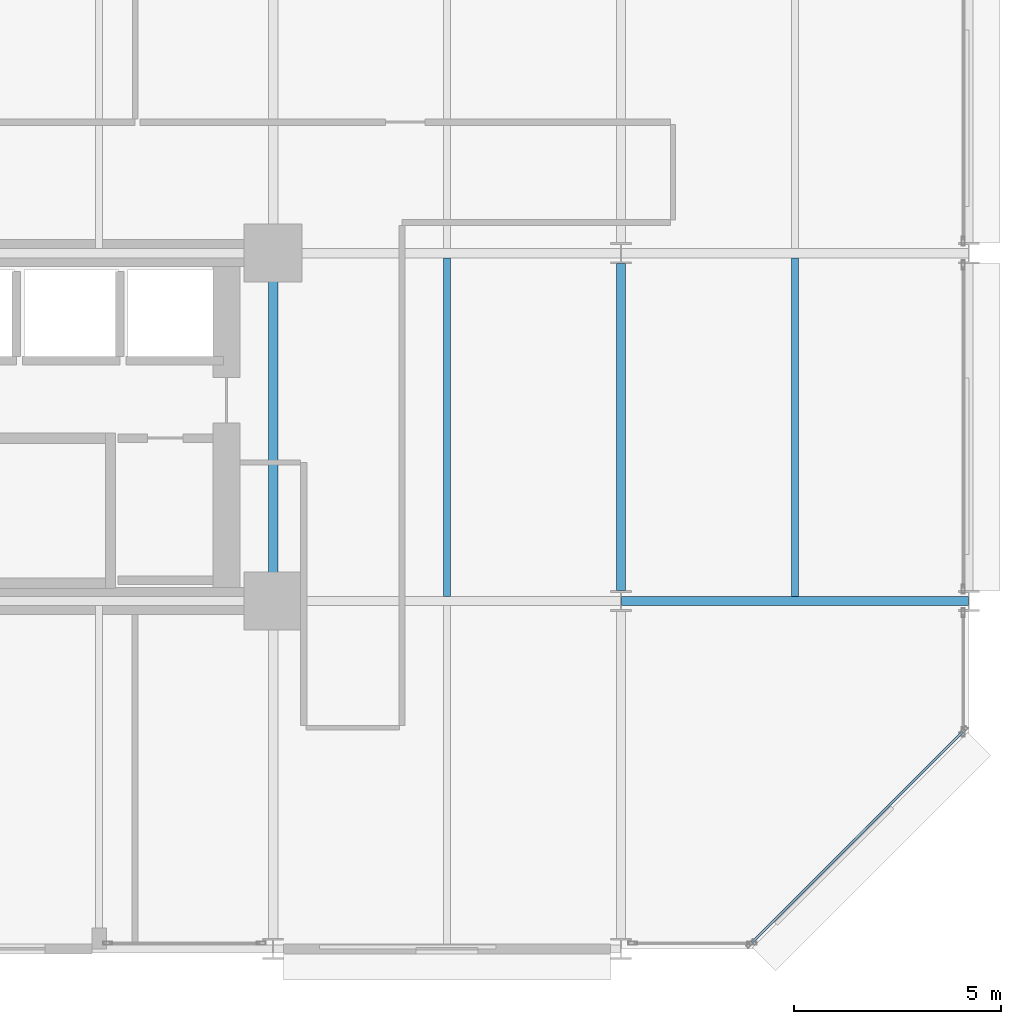
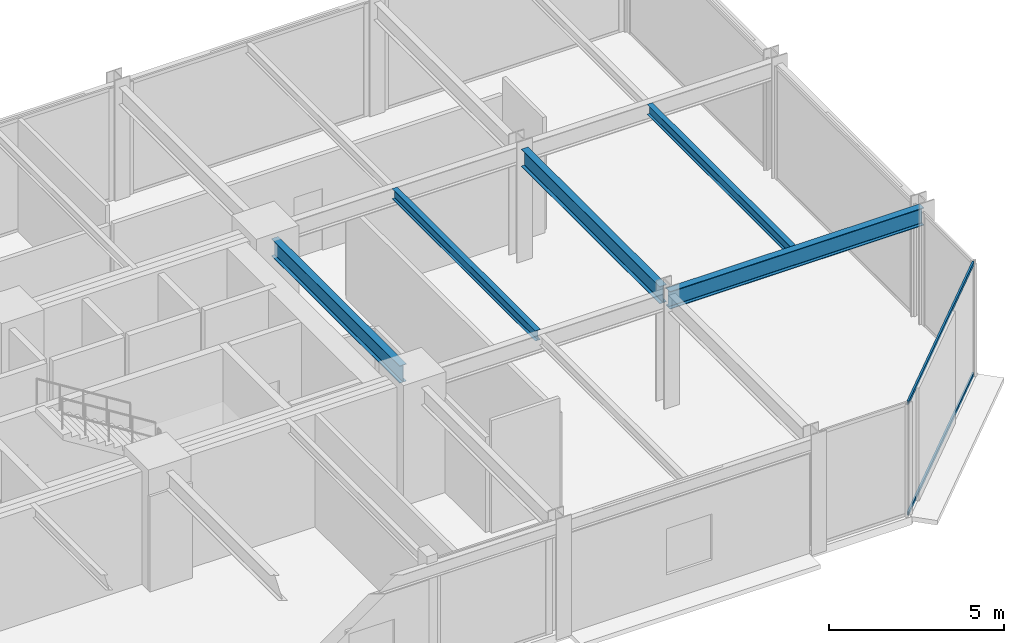
# One storey, part 10 of 25: 5 beams, 2 members, 1 element without a shape of its own.
"""IFC4 building model written with IfcOpenShell, lengths in metres."""

from ifc_helpers import new_model, si_unit, direction, frame, origin, origin_2d, place, context, subcontext, project, spatial, hollow_rectangle, i_section, extrude, material, layer, layer_set, material_profile, profile_set, type_object, element, aggregate, save


model = new_model("IFC4")

# Units and contexts
model_context = context("Model", 3, precision=1e-05, world=origin(), true_north=direction((0.0, 1.0)))
body_context = subcontext(model_context, "Body", "Model", "MODEL_VIEW")
ifc_project = project(units=[si_unit("LENGTHUNIT", "METRE"), si_unit("AREAUNIT", "SQUARE_METRE"), si_unit("VOLUMEUNIT", "CUBIC_METRE"), si_unit("PLANEANGLEUNIT", "RADIAN"), si_unit("MASSUNIT", "GRAM", prefix="KILO")], contexts=[model_context])

# Site, building, storey
site_placement = place(None, origin())
site = spatial("IfcSite", under=ifc_project, at=site_placement, CompositionType="ELEMENT")
building_placement = place(site_placement, origin())
building = spatial("IfcBuilding", under=site, at=building_placement, Name="Nerrivon Quay Data Exchange", CompositionType="ELEMENT")
storey_placement = place(building_placement, frame((0.0, 0.0, 41.60009765625)))
storey = spatial("IfcBuildingStorey", under=building, at=storey_placement, Name="L09", CompositionType="ELEMENT", Elevation=41.60009765625)

# Beams
ifc_material_1 = material(Name="Steel Grade 350", Category="steel")
ifc_material_profile_1 = material_profile(ifc_material_1, i_section(OverallWidth=0.22900390625, OverallDepth=0.612060546875, WebThickness=0.011962890625, FlangeThickness=0.01953125, FilletRadius=0.013916015625, at=origin_2d()), Name="610UB125")
ifc_profile_set_1 = profile_set([ifc_material_profile_1], Name="Steel Grade 350")
beam_type_1 = type_object("IfcBeamType", Name="BM-G1-610UB125", PredefinedType="BEAM", material=ifc_profile_set_1)
beam_1_placement = place(storey_placement, frame((42.013916015625, 8.39990234375, 3.618896484375), z_axis=(1.0, 0.0, 0.0), x_axis=(0.0, 1.0, 0.0)))
element("IfcBeam", 1, at=beam_1_placement, inside=storey, type_object=beam_type_1, Name="L09 EW Girder Y=8.4 (42.0..50.4)", PredefinedType="BEAM", context=body_context, shape_type="SweptSolid", body=[
    extrude(i_section(OverallWidth=0.22900390625, OverallDepth=0.612060546875, WebThickness=0.011962890625, FlangeThickness=0.01953125, FilletRadius=0.013916015625, at=origin_2d()), origin(), (0.0, 0.0, 1.0), 8.3720703125),
])
ifc_material_profile_2 = material_profile(ifc_material_1, i_section(OverallWidth=0.22802734375, OverallDepth=0.60205078125, WebThickness=0.010498046875, FlangeThickness=0.014892578125, FilletRadius=0.013916015625, at=origin_2d()), Name="610UB101")
ifc_profile_set_2 = profile_set([ifc_material_profile_2], Name="Steel Grade 350")
beam_type_2 = type_object("IfcBeamType", Name="BM-G2-610UB101", PredefinedType="BEAM", material=ifc_profile_set_2)
beam_2_placement = place(storey_placement, frame((33.60009765625, 8.93994140625, 3.6240234375), z_axis=(0.0, 1.0, 0.0), x_axis=(-1.0, 0.0, 0.0)))
element("IfcBeam", 2, at=beam_2_placement, inside=storey, type_object=beam_type_2, Name="L09 NS Girder X=33.6 (8.4..16.8)", PredefinedType="BEAM", context=body_context, shape_type="SweptSolid", body=[
    extrude(i_section(OverallWidth=0.22802734375, OverallDepth=0.60205078125, WebThickness=0.010498046875, FlangeThickness=0.014892578125, FilletRadius=0.013916015625, at=origin_2d()), origin(), (0.0, 0.0, 1.0), 7.320068359375),
])
beam_3_placement = place(storey_placement, frame((42.0, 8.64990234375, 3.6240234375), z_axis=(0.0, 1.0, 0.0), x_axis=(-1.0, 0.0, 0.0)))
element("IfcBeam", 3, at=beam_3_placement, inside=storey, type_object=beam_type_2, Name="L09 NS Girder X=42.0 (8.4..16.8)", PredefinedType="BEAM", context=body_context, shape_type="SweptSolid", body=[
    extrude(i_section(OverallWidth=0.22802734375, OverallDepth=0.60205078125, WebThickness=0.010498046875, FlangeThickness=0.014892578125, FilletRadius=0.013916015625, at=origin_2d()), origin(), (0.0, 0.0, 1.0), 7.900146484375),
])
ifc_material_profile_3 = material_profile(ifc_material_1, i_section(OverallWidth=0.172119140625, OverallDepth=0.35888671875, WebThickness=0.008056640625, FlangeThickness=0.012939453125, FilletRadius=0.011474609375, at=origin_2d()), Name="360UB56.7")
ifc_profile_set_3 = profile_set([ifc_material_profile_3], Name="Steel Grade 350")
beam_type_3 = type_object("IfcBeamType", Name="BM-J3-360UB57", PredefinedType="JOIST", material=ifc_profile_set_3)
for number, where, z_axis, x_axis, name in (
    (4, (37.800048828125, 8.514404296875, 3.745361328125), (0.0, 1.0, 0.0), (-1.0, 0.0, 0.0), "L09 Secondary Joist X=37.8 (8.4..16.8)"),
    (5, (46.199951171875, 8.514404296875, 3.745361328125), (0.0, 1.0, 0.0), (-1.0, 0.0, 0.0), "L09 Secondary Joist X=46.2 (8.4..16.8)"),
):
    element("IfcBeam", number, at=place(storey_placement, frame(where, z_axis=z_axis, x_axis=x_axis)), inside=storey, type_object=beam_type_3, Name=name, PredefinedType="JOIST", context=body_context, shape_type="SweptSolid", body=[
        extrude(i_section(OverallWidth=0.172119140625, OverallDepth=0.35888671875, WebThickness=0.008056640625, FlangeThickness=0.012939453125, FilletRadius=0.011474609375, at=origin_2d()), origin(), (0.0, 0.0, 1.0), 8.171142578125),
    ])

# Curtain wall, members
ifc_material_2 = material(Name="Anodised aluminium 6063-T6", Category="aluminium")
ifc_layer = layer(ifc_material_2, 0.219970703125)
ifc_layer_set = layer_set([ifc_layer], Name="Anodised aluminium 6063-T6")
curtain_wall_type = type_object("IfcCurtainWallType", Name="CW-SYS-01", PredefinedType="NOTDEFINED", material=ifc_layer_set)
curtain_wall_placement = place(storey_placement, origin())
curtain_wall = element("IfcCurtainWall", 6, at=curtain_wall_placement, inside=storey, type_object=curtain_wall_type, Name="L09 Unitised Curtain Wall 1", PredefinedType="NOTDEFINED")
ifc_material_profile_4 = material_profile(ifc_material_2, hollow_rectangle(XDim=0.06005859375, YDim=0.1201171875, WallThickness=0.003173828125, at=origin_2d()), Name="ALU-TRAN-120x60")
ifc_profile_set_4 = profile_set([ifc_material_profile_4], Name="Anodised aluminium 6063-T6")
member_type = type_object("IfcMemberType", Name="CWT-120x60", PredefinedType="USERDEFINED", material=ifc_profile_set_4)
member_1_placement = place(storey_placement, frame((50.248046875, 5.245849609375, 0.032470703125), z_axis=(-0.707123726196, -0.707089835771, 0.0), x_axis=(0.707089835771, -0.707123726196, 0.0)))
member_1 = element("IfcMember", 7, at=member_1_placement, type_object=member_type, Name="CW01 transom 1.1", ObjectType="TRANSOM", PredefinedType="USERDEFINED", context=body_context, shape_type="SweptSolid", body=[
    extrude(hollow_rectangle(XDim=0.06005859375, YDim=0.1201171875, WallThickness=0.003173828125, at=origin_2d()), origin(), (0.0, 0.0, 1.0), 7.203857421875),
])
member_2_placement = place(storey_placement, frame((50.248046875, 5.245849609375, 3.892333984375), z_axis=(-0.707123726196, -0.707089835771, 0.0), x_axis=(0.707089835771, -0.707123726196, 0.0)))
member_2 = element("IfcMember", 8, at=member_2_placement, type_object=member_type, Name="CW01 transom 1.2", ObjectType="TRANSOM", PredefinedType="USERDEFINED", context=body_context, shape_type="SweptSolid", body=[
    extrude(hollow_rectangle(XDim=0.06005859375, YDim=0.1201171875, WallThickness=0.003173828125, at=origin_2d()), origin(), (0.0, 0.0, 1.0), 7.203857421875),
])
aggregate(curtain_wall, [member_1, member_2])

save(model, "model.ifc")
